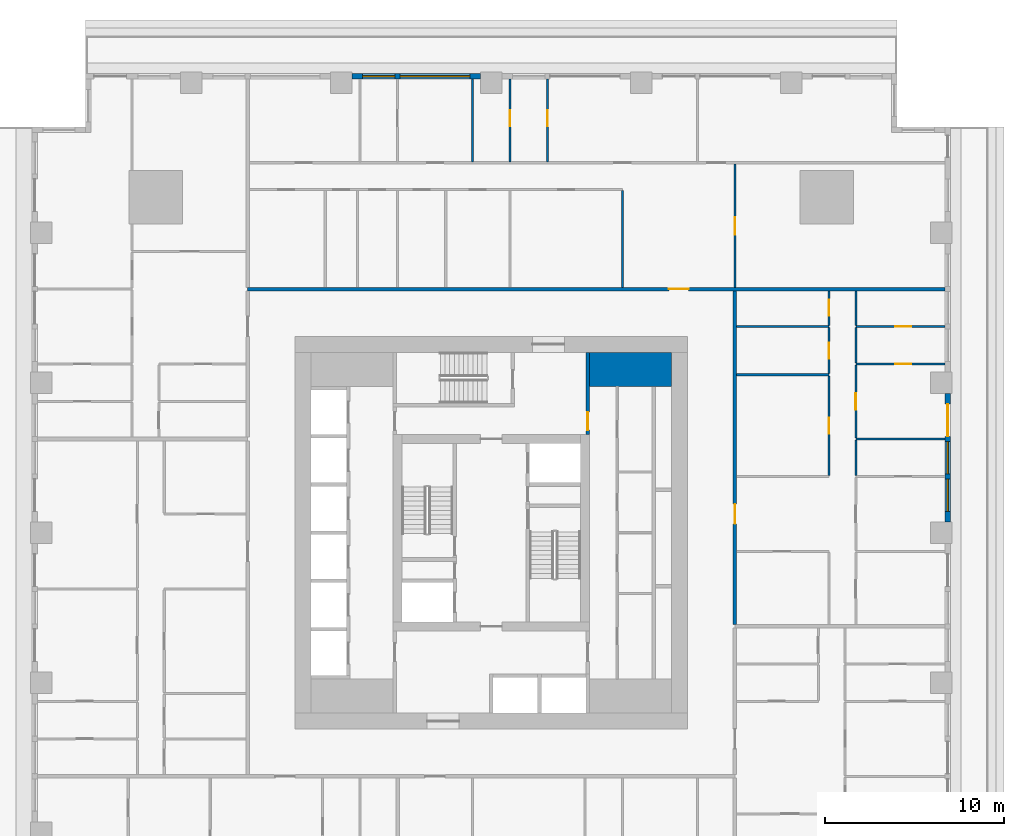
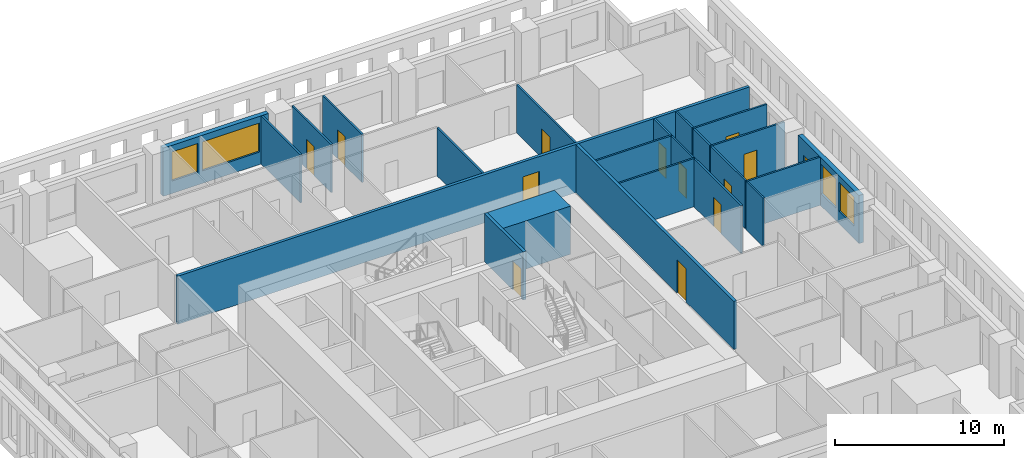
# One storey, part 8 of 14: 23 walls, 13 doors, 4 windows, 17 openings.
"""IFC4 building model written with IfcOpenShell, lengths in metres."""

from ifc_helpers import new_model, si_unit, direction, frame, frame_2d, origin, place, context, subcontext, project, spatial, rectangle, extrude, material, layer, layer_set, type_object, element, fill, save


model = new_model("IFC4")

# Units and contexts
model_context = context("Model", 3, precision=1e-05, world=origin(), true_north=direction((0.0, 1.0)))
body_context = subcontext(model_context, "Body", "Model", "MODEL_VIEW")
ifc_project = project(units=[si_unit("LENGTHUNIT", "METRE"), si_unit("AREAUNIT", "SQUARE_METRE"), si_unit("VOLUMEUNIT", "CUBIC_METRE"), si_unit("PLANEANGLEUNIT", "RADIAN"), si_unit("MASSUNIT", "GRAM", prefix="KILO")], contexts=[model_context])

# Site, building, storey
site_placement = place(None, origin())
site = spatial("IfcSite", under=ifc_project, at=site_placement, CompositionType="ELEMENT")
building_placement = place(site_placement, origin())
building = spatial("IfcBuilding", under=site, at=building_placement, Name="Khepri Terraces", CompositionType="ELEMENT")
storey_placement = place(building_placement, frame((0.0, 0.0, 66.0)))
storey = spatial("IfcBuildingStorey", under=building, at=storey_placement, Name="L15", CompositionType="ELEMENT", Elevation=66.0)

# Wall
ifc_material_1 = material(Name="Concrete C80/95", Category="concrete")
ifc_layer_1 = layer(ifc_material_1, 1.89990234375, Name="Concrete C80/95", Category="concrete")
ifc_layer_set_1 = layer_set([ifc_layer_1], Name="Concrete C80/95")
wall_type_1 = type_object("IfcWallType", Name="Core wall 1900 C80/95", PredefinedType="SHEAR", material=ifc_layer_set_1)
wall_1_placement = place(storey_placement, frame((5.5, 9.14990234375, 0.0), z_axis=(0.0, 0.0, 1.0), x_axis=(1.0, 0.0, 0.0)))
element("IfcWall", 1, at=wall_1_placement, inside=storey, type_object=wall_type_1, Name="Core wall PR04 L15", PredefinedType="SHEAR", context=body_context, shape_type="SweptSolid", body=[
    extrude(rectangle(XDim=4.60009765625, YDim=1.89990234375, at=frame_2d((2.300048828125, 0.0))), origin(), (0.0, 0.0, 1.0), 3.47998046875),
])

# Wall, opening, door
ifc_material_2 = material(Name="Fire-rated gypsum board partition")
ifc_layer_2 = layer(ifc_material_2, 0.199951171875, Name="Fire-rated gypsum board partition")
ifc_layer_set_2 = layer_set([ifc_layer_2], Name="Fire-rated gypsum board partition")
wall_type_2 = type_object("IfcWallType", Name="WL-CORE-PART-200", PredefinedType="PARTITIONING", material=ifc_layer_set_2)
wall_2_placement = place(storey_placement, frame((5.39990234375, 5.5, 0.0), z_axis=(0.0, 0.0, 1.0), x_axis=(0.0, 1.0, 0.0)))
wall_2 = element("IfcWall", 2, at=wall_2_placement, inside=storey, type_object=wall_type_2, Name="Core partition PT08 L15", PredefinedType="PARTITIONING", context=body_context, shape_type="SweptSolid", body=[
    extrude(rectangle(XDim=4.60009765625, YDim=0.199951171875, at=frame_2d((2.300048828125, 0.0))), origin(), (0.0, 0.0, 1.0), 3.47998046875),
])
opening_1_placement = place(wall_2_placement, frame((0.25, 0.0, 0.0)))
opening_1 = element("IfcOpeningElement", 3, at=opening_1_placement, cuts=wall_2, Name="Opening L15-C17", PredefinedType="OPENING", context=body_context, shape_type="SweptSolid", body=[
    extrude(rectangle(XDim=1.0, YDim=2.10009765625, at=frame_2d((0.5, 1.050048828125))), frame((0.0, 0.10986328125, 0.0), z_axis=(0.0, -1.0, 0.0), x_axis=(1.0, 0.0, 0.0)), (0.0, 0.0, 1.0), 0.219970703125),
])
ifc_material_3 = material(Name="Painted steel", Category="steel")
door_type_1 = type_object("IfcDoorType", Name="DR-CORE-LOBBY-1000", OperationType="NOTDEFINED", PredefinedType="DOOR", material=ifc_material_3)
door_1_placement = place(opening_1_placement, origin())
door_1 = element("IfcDoor", 4, at=door_1_placement, inside=storey, type_object=door_type_1, Name="Lobby door L15-C17", OperationType="SINGLE_SWING_LEFT", OverallHeight=2.10009765625, OverallWidth=1.0, PredefinedType="DOOR", context=body_context, shape_type="SweptSolid", body=[
    extrude(rectangle(XDim=1.0, YDim=2.10009765625, at=frame_2d((0.5, 1.050048828125))), frame((0.0, 0.02490234375, 0.0), z_axis=(0.0, -1.0, 0.0), x_axis=(1.0, 0.0, 0.0)), (0.0, 0.0, 1.0), 0.050048828125),
])
fill(opening_1, door_1)

ifc_material_4 = material(Name="Fire-rated gypsum plasterboard partition, mineral wool")
ifc_layer_3 = layer(ifc_material_4, 0.199951171875, Name="Fire-rated gypsum plasterboard partition, mineral wool")
ifc_layer_set_3 = layer_set([ifc_layer_3], Name="Fire-rated gypsum plasterboard partition, mineral wool")
wall_type_3 = type_object("IfcWallType", Name="WL-CORR-200", PredefinedType="PARTITIONING", material=ifc_layer_set_3)
wall_3_placement = place(storey_placement, frame((13.64990234375, -5.14990234375, 0.0), z_axis=(0.0, 0.0, 1.0), x_axis=(0.0, 1.0, 0.0)))
wall_3 = element("IfcWall", 5, at=wall_3_placement, inside=storey, type_object=wall_type_3, Name="Partition P-042 L15", PredefinedType="PARTITIONING", context=body_context, shape_type="SweptSolid", body=[
    extrude(rectangle(XDim=18.699951171875, YDim=0.199951171875, at=frame_2d((9.35009765625, 0.0))), origin(), (0.0, 0.0, 1.0), 3.47998046875),
])
opening_2_placement = place(wall_3_placement, frame((5.64990234375, 0.0, 0.0)))
opening_2 = element("IfcOpeningElement", 6, at=opening_2_placement, cuts=wall_3, Name="Opening D1", PredefinedType="OPENING", context=body_context, shape_type="SweptSolid", body=[
    extrude(rectangle(XDim=1.10009765625, YDim=2.39990234375, at=frame_2d((0.550048828125, 1.199951171875))), frame((0.0, 0.10986328125, 0.0), z_axis=(0.0, -1.0, 0.0), x_axis=(1.0, 0.0, 0.0)), (0.0, 0.0, 1.0), 0.219970703125),
])
ifc_material_5 = material(Name="Solid-core timber door leaf, flat entrance door", Category="wood")
door_type_2 = type_object("IfcDoorType", Name="DR-ENT-1100", OperationType="NOTDEFINED", PredefinedType="DOOR", material=ifc_material_5)
door_2_placement = place(opening_2_placement, frame((1.10009765625, 0.0, 0.0), z_axis=(0.0, 0.0, 1.0), x_axis=(-1.0, 0.0, 0.0)))
door_2 = element("IfcDoor", 7, at=door_2_placement, inside=storey, type_object=door_type_2, Name="Flat B2 entrance door", OperationType="SINGLE_SWING_RIGHT", OverallHeight=2.39990234375, OverallWidth=1.10009765625, PredefinedType="DOOR", context=body_context, shape_type="SweptSolid", body=[
    extrude(rectangle(XDim=1.10009765625, YDim=2.39990234375, at=frame_2d((0.550048828125, 1.199951171875))), frame((0.0, 0.02490234375, 0.0), z_axis=(0.0, -1.0, 0.0), x_axis=(1.0, 0.0, 0.0)), (0.0, 0.0, 1.0), 0.050048828125),
])
fill(opening_2, door_2)

wall_4_placement = place(storey_placement, frame((-13.64990234375, 13.64990234375, 0.0), z_axis=(0.0, 0.0, 1.0), x_axis=(1.0, 0.0, 0.0)))
wall_4 = element("IfcWall", 8, at=wall_4_placement, inside=storey, type_object=wall_type_3, Name="Partition P-079 L15", PredefinedType="PARTITIONING", context=body_context, shape_type="SweptSolid", body=[
    extrude(rectangle(XDim=39.06982421875, YDim=0.199951171875, at=frame_2d((19.534912109375, 0.0))), origin(), (0.0, 0.0, 1.0), 3.47998046875),
])
opening_3_placement = place(wall_4_placement, frame((23.60009765625, 0.0, 0.0)))
opening_3 = element("IfcOpeningElement", 9, at=opening_3_placement, cuts=wall_4, Name="Opening D1", PredefinedType="OPENING", context=body_context, shape_type="SweptSolid", body=[
    extrude(rectangle(XDim=1.10009765625, YDim=2.39990234375, at=frame_2d((0.550048828125, 1.199951171875))), frame((0.0, 0.10986328125, 0.0), z_axis=(0.0, -1.0, 0.0), x_axis=(1.0, 0.0, 0.0)), (0.0, 0.0, 1.0), 0.219970703125),
])
door_3_placement = place(opening_3_placement, origin())
door_3 = element("IfcDoor", 10, at=door_3_placement, inside=storey, type_object=door_type_2, Name="Flat C1 entrance door", OperationType="SINGLE_SWING_RIGHT", OverallHeight=2.39990234375, OverallWidth=1.10009765625, PredefinedType="DOOR", context=body_context, shape_type="SweptSolid", body=[
    extrude(rectangle(XDim=1.10009765625, YDim=2.39990234375, at=frame_2d((0.550048828125, 1.199951171875))), frame((0.0, 0.02490234375, 0.0), z_axis=(0.0, -1.0, 0.0), x_axis=(1.0, 0.0, 0.0)), (0.0, 0.0, 1.0), 0.050048828125),
])
fill(opening_3, door_3)

# Wall, openings, door, windows
ifc_material_6 = material(Name="Precast concrete C50/60 warm stone", Category="masonry")
ifc_layer_4 = layer(ifc_material_6, 0.300048828125, Name="Precast concrete C50/60 warm stone", Category="masonry")
ifc_layer_set_4 = layer_set([ifc_layer_4], Name="Precast concrete C50/60 warm stone")
wall_type_4 = type_object("IfcWallType", Name="WL-EXT-PRECAST-300", PredefinedType="STANDARD", material=ifc_layer_set_4)
wall_5_placement = place(storey_placement, frame((25.570068359375, 0.60009765625, 0.0), z_axis=(0.0, 0.0, 1.0), x_axis=(0.0, 1.0, 0.0)))
wall_5 = element("IfcWall", 11, at=wall_5_placement, inside=storey, type_object=wall_type_4, Name="External wall L15 E", PredefinedType="STANDARD", context=body_context, shape_type="SweptSolid", body=[
    extrude(rectangle(XDim=7.199951171875, YDim=0.300048828125, at=frame_2d((3.60009765625, 0.0))), origin(), (0.0, 0.0, 1.0), 3.47998046875),
])
opening_4_placement = place(wall_5_placement, frame((0.60009765625, 0.0, 0.89990234375)))
opening_4 = element("IfcOpeningElement", 12, at=opening_4_placement, cuts=wall_5, Name="Opening W1", PredefinedType="OPENING", context=body_context, shape_type="SweptSolid", body=[
    extrude(rectangle(XDim=1.800048828125, YDim=2.10009765625, at=frame_2d((0.89990234375, 1.050048828125))), frame((0.0, 0.16015625, 0.0), z_axis=(0.0, -1.0, 0.0), x_axis=(1.0, 0.0, 0.0)), (0.0, 0.0, 1.0), 0.320068359375),
])
opening_5_placement = place(wall_5_placement, frame((2.699951171875, 0.0, 0.89990234375)))
opening_5 = element("IfcOpeningElement", 13, at=opening_5_placement, cuts=wall_5, Name="Opening W1", PredefinedType="OPENING", context=body_context, shape_type="SweptSolid", body=[
    extrude(rectangle(XDim=1.800048828125, YDim=2.10009765625, at=frame_2d((0.89990234375, 1.050048828125))), frame((0.0, 0.16015625, 0.0), z_axis=(0.0, -1.0, 0.0), x_axis=(1.0, 0.0, 0.0)), (0.0, 0.0, 1.0), 0.320068359375),
])
opening_6_placement = place(wall_5_placement, frame((4.800048828125, 0.0, 0.0)))
opening_6 = element("IfcOpeningElement", 14, at=opening_6_placement, cuts=wall_5, Name="Opening ED-L15-05", PredefinedType="OPENING", context=body_context, shape_type="SweptSolid", body=[
    extrude(rectangle(XDim=1.800048828125, YDim=2.39990234375, at=frame_2d((0.89990234375, 1.199951171875))), frame((0.0, 0.16015625, 0.0), z_axis=(0.0, -1.0, 0.0), x_axis=(1.0, 0.0, 0.0)), (0.0, 0.0, 1.0), 0.320068359375),
])
ifc_material_7 = material(Name="Anodised aluminium bronze glazed door", Category="aluminium")
door_type_3 = type_object("IfcDoorType", Name="DR-BAL-SLIDE-1800x2400", OperationType="NOTDEFINED", PredefinedType="DOOR", material=ifc_material_7)
door_4_placement = place(opening_6_placement, origin())
door_4 = element("IfcDoor", 15, at=door_4_placement, inside=storey, type_object=door_type_3, Name="Balcony door L15 E", OperationType="SLIDING_TO_RIGHT", OverallHeight=2.39990234375, OverallWidth=1.800048828125, PredefinedType="DOOR", context=body_context, shape_type="SweptSolid", body=[
    extrude(rectangle(XDim=1.800048828125, YDim=2.39990234375, at=frame_2d((0.89990234375, 1.199951171875))), frame((0.0, 0.02490234375, 0.0), z_axis=(0.0, -1.0, 0.0), x_axis=(1.0, 0.0, 0.0)), (0.0, 0.0, 1.0), 0.050048828125),
])
fill(opening_6, door_4)
ifc_material_8 = material(Name="Clear glass", Category="glass")
window_type_1 = type_object("IfcWindowType", Name="WIN-RES-1800x2100", PartitioningType="SINGLE_PANEL", PredefinedType="WINDOW", material=ifc_material_8)
window_1_placement = place(opening_4_placement, origin())
window_1 = element("IfcWindow", 16, at=window_1_placement, inside=storey, type_object=window_type_1, Name="Window L15 E", OverallHeight=2.10009765625, OverallWidth=1.800048828125, PartitioningType="SINGLE_PANEL", PredefinedType="WINDOW", context=body_context, shape_type="SweptSolid", body=[
    extrude(rectangle(XDim=1.800048828125, YDim=2.10009765625, at=frame_2d((0.89990234375, 1.050048828125))), frame((0.0, 0.030029296875, 0.0), z_axis=(0.0, -1.0, 0.0), x_axis=(1.0, 0.0, 0.0)), (0.0, 0.0, 1.0), 0.06005859375),
])
fill(opening_4, window_1)
window_2_placement = place(opening_5_placement, origin())
window_2 = element("IfcWindow", 17, at=window_2_placement, inside=storey, type_object=window_type_1, Name="Window L15 E", OverallHeight=2.10009765625, OverallWidth=1.800048828125, PartitioningType="SINGLE_PANEL", PredefinedType="WINDOW", context=body_context, shape_type="SweptSolid", body=[
    extrude(rectangle(XDim=1.800048828125, YDim=2.10009765625, at=frame_2d((0.89990234375, 1.050048828125))), frame((0.0, 0.030029296875, 0.0), z_axis=(0.0, -1.0, 0.0), x_axis=(1.0, 0.0, 0.0)), (0.0, 0.0, 1.0), 0.06005859375),
])
fill(opening_5, window_2)

# Wall, openings, windows
wall_6_placement = place(storey_placement, frame((-0.60009765625, 25.570068359375, 0.0), z_axis=(0.0, 0.0, 1.0), x_axis=(-1.0, 0.0, 0.0)))
wall_6 = element("IfcWall", 18, at=wall_6_placement, inside=storey, type_object=wall_type_4, Name="External wall L15 N", PredefinedType="STANDARD", context=body_context, shape_type="SweptSolid", body=[
    extrude(rectangle(XDim=7.199951171875, YDim=0.300048828125, at=frame_2d((3.60009765625, 0.0))), origin(), (0.0, 0.0, 1.0), 3.47998046875),
])
opening_7_placement = place(wall_6_placement, frame((0.60009765625, 0.0, 0.89990234375)))
opening_7 = element("IfcOpeningElement", 19, at=opening_7_placement, cuts=wall_6, Name="Opening W2", PredefinedType="OPENING", context=body_context, shape_type="SweptSolid", body=[
    extrude(rectangle(XDim=3.89990234375, YDim=2.10009765625, at=frame_2d((1.949951171875, 1.050048828125))), frame((0.0, 0.16015625, 0.0), z_axis=(0.0, -1.0, 0.0), x_axis=(1.0, 0.0, 0.0)), (0.0, 0.0, 1.0), 0.320068359375),
])
opening_8_placement = place(wall_6_placement, frame((4.800048828125, 0.0, 0.89990234375)))
opening_8 = element("IfcOpeningElement", 20, at=opening_8_placement, cuts=wall_6, Name="Opening W1", PredefinedType="OPENING", context=body_context, shape_type="SweptSolid", body=[
    extrude(rectangle(XDim=1.800048828125, YDim=2.10009765625, at=frame_2d((0.89990234375, 1.050048828125))), frame((0.0, 0.16015625, 0.0), z_axis=(0.0, -1.0, 0.0), x_axis=(1.0, 0.0, 0.0)), (0.0, 0.0, 1.0), 0.320068359375),
])
window_3_placement = place(opening_8_placement, origin())
window_3 = element("IfcWindow", 21, at=window_3_placement, inside=storey, type_object=window_type_1, Name="Window L15 N", OverallHeight=2.10009765625, OverallWidth=1.800048828125, PartitioningType="SINGLE_PANEL", PredefinedType="WINDOW", context=body_context, shape_type="SweptSolid", body=[
    extrude(rectangle(XDim=1.800048828125, YDim=2.10009765625, at=frame_2d((0.89990234375, 1.050048828125))), frame((0.0, 0.030029296875, 0.0), z_axis=(0.0, -1.0, 0.0), x_axis=(1.0, 0.0, 0.0)), (0.0, 0.0, 1.0), 0.06005859375),
])
fill(opening_8, window_3)
window_type_2 = type_object("IfcWindowType", Name="WIN-RES-3900x2100", PartitioningType="SINGLE_PANEL", PredefinedType="WINDOW", material=ifc_material_8)
window_4_placement = place(opening_7_placement, origin())
window_4 = element("IfcWindow", 22, at=window_4_placement, inside=storey, type_object=window_type_2, Name="Window L15 N", OverallHeight=2.10009765625, OverallWidth=3.89990234375, PartitioningType="SINGLE_PANEL", PredefinedType="WINDOW", context=body_context, shape_type="SweptSolid", body=[
    extrude(rectangle(XDim=3.89990234375, YDim=2.10009765625, at=frame_2d((1.949951171875, 1.050048828125))), frame((0.0, 0.030029296875, 0.0), z_axis=(0.0, -1.0, 0.0), x_axis=(1.0, 0.0, 0.0)), (0.0, 0.0, 1.0), 0.06005859375),
])
fill(opening_7, window_4)

# Wall, opening, door
ifc_material_9 = material(Name="Gypsum plasterboard partition")
ifc_layer_5 = layer(ifc_material_9, 0.1201171875, Name="Gypsum plasterboard partition")
ifc_layer_set_5 = layer_set([ifc_layer_5], Name="Gypsum plasterboard partition")
wall_type_5 = type_object("IfcWallType", Name="WL-PART-120", PredefinedType="PARTITIONING", material=ifc_layer_set_5)
wall_7_placement = place(storey_placement, frame((18.919921875, 3.2099609375, 0.0), z_axis=(0.0, 0.0, 1.0), x_axis=(0.0, 1.0, 0.0)))
wall_7 = element("IfcWall", 23, at=wall_7_placement, inside=storey, type_object=wall_type_5, Name="Partition P-055 L15", PredefinedType="PARTITIONING", context=body_context, shape_type="SweptSolid", body=[
    extrude(rectangle(XDim=5.580078125, YDim=0.1201171875, at=frame_2d((2.7900390625, 0.0))), origin(), (0.0, 0.0, 1.0), 3.47998046875),
])
opening_9_placement = place(wall_7_placement, frame((2.340087890625, 0.0, 0.0)))
opening_9 = element("IfcOpeningElement", 24, at=opening_9_placement, cuts=wall_7, Name="Opening D3", PredefinedType="OPENING", context=body_context, shape_type="SweptSolid", body=[
    extrude(rectangle(XDim=0.89990234375, YDim=2.10009765625, at=frame_2d((0.449951171875, 1.050048828125))), frame((0.0, 0.070068359375, 0.0), z_axis=(0.0, -1.0, 0.0), x_axis=(1.0, 0.0, 0.0)), (0.0, 0.0, 1.0), 0.14013671875),
])
ifc_material_10 = material(Name="Timber door leaf", Category="wood")
door_type_4 = type_object("IfcDoorType", Name="DR-INT-900", OperationType="NOTDEFINED", PredefinedType="DOOR", material=ifc_material_10)
door_5_placement = place(opening_9_placement, origin())
door_5 = element("IfcDoor", 25, at=door_5_placement, inside=storey, type_object=door_type_4, Name="Door Kitchen", OperationType="SINGLE_SWING_RIGHT", OverallHeight=2.10009765625, OverallWidth=0.89990234375, PredefinedType="DOOR", context=body_context, shape_type="SweptSolid", body=[
    extrude(rectangle(XDim=0.89990234375, YDim=2.10009765625, at=frame_2d((0.449951171875, 1.050048828125))), frame((0.0, 0.02490234375, 0.0), z_axis=(0.0, -1.0, 0.0), x_axis=(1.0, 0.0, 0.0)), (0.0, 0.0, 1.0), 0.050048828125),
])
fill(opening_9, door_5)

# Walls
wall_8_placement = place(storey_placement, frame((20.419921875, 3.2099609375, 0.0), z_axis=(0.0, 0.0, 1.0), x_axis=(0.0, 1.0, 0.0)))
element("IfcWall", 26, at=wall_8_placement, inside=storey, type_object=wall_type_5, Name="Partition P-056 L15", PredefinedType="PARTITIONING", context=body_context, shape_type="SweptSolid", body=[
    extrude(rectangle(XDim=1.97998046875, YDim=0.1201171875, at=frame_2d((0.989990234375, 0.0))), origin(), (0.0, 0.0, 1.0), 3.47998046875),
])
wall_9_placement = place(storey_placement, frame((20.419921875, 5.25, 0.0), z_axis=(0.0, 0.0, 1.0), x_axis=(1.0, 0.0, 0.0)))
element("IfcWall", 27, at=wall_9_placement, inside=storey, type_object=wall_type_5, Name="Partition P-058 L15", PredefinedType="PARTITIONING", context=body_context, shape_type="SweptSolid", body=[
    extrude(rectangle(XDim=5.0, YDim=0.1201171875, at=frame_2d((2.5, 0.0))), origin(), (0.0, 0.0, 1.0), 3.47998046875),
])

# Wall, opening, door
wall_10_placement = place(storey_placement, frame((20.419921875, 5.31005859375, 0.0), z_axis=(0.0, 0.0, 1.0), x_axis=(0.0, 1.0, 0.0)))
wall_10 = element("IfcWall", 28, at=wall_10_placement, inside=storey, type_object=wall_type_5, Name="Partition P-059 L15", PredefinedType="PARTITIONING", context=body_context, shape_type="SweptSolid", body=[
    extrude(rectangle(XDim=4.079833984375, YDim=0.1201171875, at=frame_2d((2.0400390625, 0.0))), origin(), (0.0, 0.0, 1.0), 3.47998046875),
])
opening_10_placement = place(wall_10_placement, frame((1.590087890625, 0.0, 0.0)))
opening_10 = element("IfcOpeningElement", 29, at=opening_10_placement, cuts=wall_10, Name="Opening D3", PredefinedType="OPENING", context=body_context, shape_type="SweptSolid", body=[
    extrude(rectangle(XDim=0.89990234375, YDim=2.10009765625, at=frame_2d((0.449951171875, 1.050048828125))), frame((0.0, 0.070068359375, 0.0), z_axis=(0.0, -1.0, 0.0), x_axis=(1.0, 0.0, 0.0)), (0.0, 0.0, 1.0), 0.14013671875),
])
door_6_placement = place(opening_10_placement, frame((0.89990234375, 0.0, 0.0), z_axis=(0.0, 0.0, 1.0), x_axis=(-1.0, 0.0, 0.0)))
door_6 = element("IfcDoor", 30, at=door_6_placement, inside=storey, type_object=door_type_4, Name="Door Master Bedroom", OperationType="SINGLE_SWING_RIGHT", OverallHeight=2.10009765625, OverallWidth=0.89990234375, PredefinedType="DOOR", context=body_context, shape_type="SweptSolid", body=[
    extrude(rectangle(XDim=0.89990234375, YDim=2.10009765625, at=frame_2d((0.449951171875, 1.050048828125))), frame((0.0, 0.02490234375, 0.0), z_axis=(0.0, -1.0, 0.0), x_axis=(1.0, 0.0, 0.0)), (0.0, 0.0, 1.0), 0.050048828125),
])
fill(opening_10, door_6)

# Wall
wall_11_placement = place(storey_placement, frame((13.75, 8.85009765625, 0.0), z_axis=(0.0, 0.0, 1.0), x_axis=(1.0, 0.0, 0.0)))
element("IfcWall", 31, at=wall_11_placement, inside=storey, type_object=wall_type_5, Name="Partition P-067 L15", PredefinedType="PARTITIONING", context=body_context, shape_type="SweptSolid", body=[
    extrude(rectangle(XDim=5.169921875, YDim=0.1201171875, at=frame_2d((2.5849609375, 0.0))), origin(), (0.0, 0.0, 1.0), 3.47998046875),
])

# Wall, opening, door
wall_12_placement = place(storey_placement, frame((18.919921875, 8.909912109375, 0.0), z_axis=(0.0, 0.0, 1.0), x_axis=(0.0, 1.0, 0.0)))
wall_12 = element("IfcWall", 32, at=wall_12_placement, inside=storey, type_object=wall_type_5, Name="Partition P-068 L15", PredefinedType="PARTITIONING", context=body_context, shape_type="SweptSolid", body=[
    extrude(rectangle(XDim=2.580078125, YDim=0.1201171875, at=frame_2d((1.2900390625, 0.0))), origin(), (0.0, 0.0, 1.0), 3.47998046875),
])
opening_11_placement = place(wall_12_placement, frame((0.840087890625, 0.0, 0.0)))
opening_11 = element("IfcOpeningElement", 33, at=opening_11_placement, cuts=wall_12, Name="Opening D4", PredefinedType="OPENING", context=body_context, shape_type="SweptSolid", body=[
    extrude(rectangle(XDim=0.89990234375, YDim=2.10009765625, at=frame_2d((0.449951171875, 1.050048828125))), frame((0.0, 0.070068359375, 0.0), z_axis=(0.0, -1.0, 0.0), x_axis=(1.0, 0.0, 0.0)), (0.0, 0.0, 1.0), 0.14013671875),
])
ifc_material_11 = material(Name="Timber door leaf, moisture resistant", Category="wood")
door_type_5 = type_object("IfcDoorType", Name="DR-WET-900", OperationType="NOTDEFINED", PredefinedType="DOOR", material=ifc_material_11)
door_7_placement = place(opening_11_placement, origin())
door_7 = element("IfcDoor", 34, at=door_7_placement, inside=storey, type_object=door_type_5, Name="Door Powder Room", OperationType="SINGLE_SWING_LEFT", OverallHeight=2.10009765625, OverallWidth=0.89990234375, PredefinedType="DOOR", context=body_context, shape_type="SweptSolid", body=[
    extrude(rectangle(XDim=0.89990234375, YDim=2.10009765625, at=frame_2d((0.449951171875, 1.050048828125))), frame((0.0, 0.02490234375, 0.0), z_axis=(0.0, -1.0, 0.0), x_axis=(1.0, 0.0, 0.0)), (0.0, 0.0, 1.0), 0.050048828125),
])
fill(opening_11, door_7)

wall_13_placement = place(storey_placement, frame((20.419921875, 9.449951171875, 0.0), z_axis=(0.0, 0.0, 1.0), x_axis=(1.0, 0.0, 0.0)))
wall_13 = element("IfcWall", 35, at=wall_13_placement, inside=storey, type_object=wall_type_5, Name="Partition P-071 L15", PredefinedType="PARTITIONING", context=body_context, shape_type="SweptSolid", body=[
    extrude(rectangle(XDim=5.0, YDim=0.1201171875, at=frame_2d((2.5, 0.0))), origin(), (0.0, 0.0, 1.0), 3.47998046875),
])
opening_12_placement = place(wall_13_placement, frame((2.199951171875, 0.0, 0.0)))
opening_12 = element("IfcOpeningElement", 36, at=opening_12_placement, cuts=wall_13, Name="Opening D3", PredefinedType="OPENING", context=body_context, shape_type="SweptSolid", body=[
    extrude(rectangle(XDim=0.89990234375, YDim=2.10009765625, at=frame_2d((0.449951171875, 1.050048828125))), frame((0.0, 0.070068359375, 0.0), z_axis=(0.0, -1.0, 0.0), x_axis=(1.0, 0.0, 0.0)), (0.0, 0.0, 1.0), 0.14013671875),
])
door_8_placement = place(opening_12_placement, origin())
door_8 = element("IfcDoor", 37, at=door_8_placement, inside=storey, type_object=door_type_4, Name="Door Dressing Room", OperationType="SINGLE_SWING_RIGHT", OverallHeight=2.10009765625, OverallWidth=0.89990234375, PredefinedType="DOOR", context=body_context, shape_type="SweptSolid", body=[
    extrude(rectangle(XDim=0.89990234375, YDim=2.10009765625, at=frame_2d((0.449951171875, 1.050048828125))), frame((0.0, 0.02490234375, 0.0), z_axis=(0.0, -1.0, 0.0), x_axis=(1.0, 0.0, 0.0)), (0.0, 0.0, 1.0), 0.050048828125),
])
fill(opening_12, door_8)

# Walls
wall_14_placement = place(storey_placement, frame((20.419921875, 9.510009765625, 0.0), z_axis=(0.0, 0.0, 1.0), x_axis=(0.0, 1.0, 0.0)))
element("IfcWall", 38, at=wall_14_placement, inside=storey, type_object=wall_type_5, Name="Partition P-073 L15", PredefinedType="PARTITIONING", context=body_context, shape_type="SweptSolid", body=[
    extrude(rectangle(XDim=1.97998046875, YDim=0.1201171875, at=frame_2d((0.989990234375, 0.0))), origin(), (0.0, 0.0, 1.0), 3.47998046875),
])
wall_15_placement = place(storey_placement, frame((13.75, 11.550048828125, 0.0), z_axis=(0.0, 0.0, 1.0), x_axis=(1.0, 0.0, 0.0)))
element("IfcWall", 39, at=wall_15_placement, inside=storey, type_object=wall_type_5, Name="Partition P-074 L15", PredefinedType="PARTITIONING", context=body_context, shape_type="SweptSolid", body=[
    extrude(rectangle(XDim=5.169921875, YDim=0.1201171875, at=frame_2d((2.5849609375, 0.0))), origin(), (0.0, 0.0, 1.0), 3.47998046875),
])

# Wall, opening, door
wall_16_placement = place(storey_placement, frame((20.419921875, 11.550048828125, 0.0), z_axis=(0.0, 0.0, 1.0), x_axis=(1.0, 0.0, 0.0)))
wall_16 = element("IfcWall", 40, at=wall_16_placement, inside=storey, type_object=wall_type_5, Name="Partition P-075 L15", PredefinedType="PARTITIONING", context=body_context, shape_type="SweptSolid", body=[
    extrude(rectangle(XDim=5.0, YDim=0.1201171875, at=frame_2d((2.5, 0.0))), origin(), (0.0, 0.0, 1.0), 3.47998046875),
])
opening_13_placement = place(wall_16_placement, frame((2.199951171875, 0.0, 0.0)))
opening_13 = element("IfcOpeningElement", 41, at=opening_13_placement, cuts=wall_16, Name="Opening D4", PredefinedType="OPENING", context=body_context, shape_type="SweptSolid", body=[
    extrude(rectangle(XDim=0.89990234375, YDim=2.10009765625, at=frame_2d((0.449951171875, 1.050048828125))), frame((0.0, 0.070068359375, 0.0), z_axis=(0.0, -1.0, 0.0), x_axis=(1.0, 0.0, 0.0)), (0.0, 0.0, 1.0), 0.14013671875),
])
door_9_placement = place(opening_13_placement, origin())
door_9 = element("IfcDoor", 42, at=door_9_placement, inside=storey, type_object=door_type_5, Name="Door Bathroom", OperationType="SINGLE_SWING_RIGHT", OverallHeight=2.10009765625, OverallWidth=0.89990234375, PredefinedType="DOOR", context=body_context, shape_type="SweptSolid", body=[
    extrude(rectangle(XDim=0.89990234375, YDim=2.10009765625, at=frame_2d((0.449951171875, 1.050048828125))), frame((0.0, 0.02490234375, 0.0), z_axis=(0.0, -1.0, 0.0), x_axis=(1.0, 0.0, 0.0)), (0.0, 0.0, 1.0), 0.050048828125),
])
fill(opening_13, door_9)

wall_17_placement = place(storey_placement, frame((18.919921875, 11.610107421875, 0.0), z_axis=(0.0, 0.0, 1.0), x_axis=(0.0, 1.0, 0.0)))
wall_17 = element("IfcWall", 43, at=wall_17_placement, inside=storey, type_object=wall_type_5, Name="Partition P-076 L15", PredefinedType="PARTITIONING", context=body_context, shape_type="SweptSolid", body=[
    extrude(rectangle(XDim=1.93994140625, YDim=0.1201171875, at=frame_2d((0.969970703125, 0.0))), origin(), (0.0, 0.0, 1.0), 3.47998046875),
])
opening_14_placement = place(wall_17_placement, frame((0.5400390625, 0.0, 0.0)))
opening_14 = element("IfcOpeningElement", 44, at=opening_14_placement, cuts=wall_17, Name="Opening D4", PredefinedType="OPENING", context=body_context, shape_type="SweptSolid", body=[
    extrude(rectangle(XDim=0.89990234375, YDim=2.10009765625, at=frame_2d((0.449951171875, 1.050048828125))), frame((0.0, 0.070068359375, 0.0), z_axis=(0.0, -1.0, 0.0), x_axis=(1.0, 0.0, 0.0)), (0.0, 0.0, 1.0), 0.14013671875),
])
door_10_placement = place(opening_14_placement, origin())
door_10 = element("IfcDoor", 45, at=door_10_placement, inside=storey, type_object=door_type_5, Name="Door Guest Bathroom", OperationType="SINGLE_SWING_RIGHT", OverallHeight=2.10009765625, OverallWidth=0.89990234375, PredefinedType="DOOR", context=body_context, shape_type="SweptSolid", body=[
    extrude(rectangle(XDim=0.89990234375, YDim=2.10009765625, at=frame_2d((0.449951171875, 1.050048828125))), frame((0.0, 0.02490234375, 0.0), z_axis=(0.0, -1.0, 0.0), x_axis=(1.0, 0.0, 0.0)), (0.0, 0.0, 1.0), 0.050048828125),
])
fill(opening_14, door_10)

# Walls
wall_18_placement = place(storey_placement, frame((20.419921875, 11.610107421875, 0.0), z_axis=(0.0, 0.0, 1.0), x_axis=(0.0, 1.0, 0.0)))
element("IfcWall", 46, at=wall_18_placement, inside=storey, type_object=wall_type_5, Name="Partition P-077 L15", PredefinedType="PARTITIONING", context=body_context, shape_type="SweptSolid", body=[
    extrude(rectangle(XDim=1.93994140625, YDim=0.1201171875, at=frame_2d((0.969970703125, 0.0))), origin(), (0.0, 0.0, 1.0), 3.47998046875),
])
wall_19_placement = place(storey_placement, frame((7.35009765625, 13.75, 0.0), z_axis=(0.0, 0.0, 1.0), x_axis=(0.0, 1.0, 0.0)))
element("IfcWall", 47, at=wall_19_placement, inside=storey, type_object=wall_type_5, Name="Partition P-087 L15", PredefinedType="PARTITIONING", context=body_context, shape_type="SweptSolid", body=[
    extrude(rectangle(XDim=5.409912109375, YDim=0.1201171875, at=frame_2d((2.705078125, 0.0))), origin(), (0.0, 0.0, 1.0), 3.47998046875),
])

# Wall, opening, door
wall_20_placement = place(storey_placement, frame((13.64990234375, 13.75, 0.0), z_axis=(0.0, 0.0, 1.0), x_axis=(0.0, 1.0, 0.0)))
wall_20 = element("IfcWall", 48, at=wall_20_placement, inside=storey, type_object=wall_type_5, Name="Partition P-088 L15", PredefinedType="PARTITIONING", context=body_context, shape_type="SweptSolid", body=[
    extrude(rectangle(XDim=6.909912109375, YDim=0.1201171875, at=frame_2d((3.455078125, 0.0))), origin(), (0.0, 0.0, 1.0), 3.47998046875),
])
opening_15_placement = place(wall_20_placement, frame((2.93505859375, 0.0, 0.0)))
opening_15 = element("IfcOpeningElement", 49, at=opening_15_placement, cuts=wall_20, Name="Opening D2", PredefinedType="OPENING", context=body_context, shape_type="SweptSolid", body=[
    extrude(rectangle(XDim=1.0, YDim=2.10009765625, at=frame_2d((0.5, 1.050048828125))), frame((0.0, 0.070068359375, 0.0), z_axis=(0.0, -1.0, 0.0), x_axis=(1.0, 0.0, 0.0)), (0.0, 0.0, 1.0), 0.14013671875),
])
ifc_material_12 = material(Name="Timber door leaf, living room door", Category="wood")
door_type_6 = type_object("IfcDoorType", Name="DR-INT-1000", OperationType="NOTDEFINED", PredefinedType="DOOR", material=ifc_material_12)
door_11_placement = place(opening_15_placement, frame((1.0, 0.0, 0.0), z_axis=(0.0, 0.0, 1.0), x_axis=(-1.0, 0.0, 0.0)))
door_11 = element("IfcDoor", 50, at=door_11_placement, inside=storey, type_object=door_type_6, Name="Door Family Room", OperationType="SINGLE_SWING_RIGHT", OverallHeight=2.10009765625, OverallWidth=1.0, PredefinedType="DOOR", context=body_context, shape_type="SweptSolid", body=[
    extrude(rectangle(XDim=1.0, YDim=2.10009765625, at=frame_2d((0.5, 1.050048828125))), frame((0.0, 0.02490234375, 0.0), z_axis=(0.0, -1.0, 0.0), x_axis=(1.0, 0.0, 0.0)), (0.0, 0.0, 1.0), 0.050048828125),
])
fill(opening_15, door_11)

# Wall
wall_21_placement = place(storey_placement, frame((-1.050048828125, 20.780029296875, 0.0), z_axis=(0.0, 0.0, 1.0), x_axis=(0.0, 1.0, 0.0)))
element("IfcWall", 51, at=wall_21_placement, inside=storey, type_object=wall_type_5, Name="Partition P-096 L15", PredefinedType="PARTITIONING", context=body_context, shape_type="SweptSolid", body=[
    extrude(rectangle(XDim=4.639892578125, YDim=0.1201171875, at=frame_2d((2.31982421875, 0.0))), origin(), (0.0, 0.0, 1.0), 3.47998046875),
])

# Wall, opening, door
wall_22_placement = place(storey_placement, frame((1.050048828125, 20.780029296875, 0.0), z_axis=(0.0, 0.0, 1.0), x_axis=(0.0, 1.0, 0.0)))
wall_22 = element("IfcWall", 52, at=wall_22_placement, inside=storey, type_object=wall_type_5, Name="Partition P-097 L15", PredefinedType="PARTITIONING", context=body_context, shape_type="SweptSolid", body=[
    extrude(rectangle(XDim=4.639892578125, YDim=0.1201171875, at=frame_2d((2.31982421875, 0.0))), origin(), (0.0, 0.0, 1.0), 3.47998046875),
])
opening_16_placement = place(wall_22_placement, frame((1.989990234375, 0.0, 0.0)))
opening_16 = element("IfcOpeningElement", 53, at=opening_16_placement, cuts=wall_22, Name="Opening D4", PredefinedType="OPENING", context=body_context, shape_type="SweptSolid", body=[
    extrude(rectangle(XDim=0.89990234375, YDim=2.10009765625, at=frame_2d((0.449951171875, 1.050048828125))), frame((0.0, 0.070068359375, 0.0), z_axis=(0.0, -1.0, 0.0), x_axis=(1.0, 0.0, 0.0)), (0.0, 0.0, 1.0), 0.14013671875),
])
door_12_placement = place(opening_16_placement, origin())
door_12 = element("IfcDoor", 54, at=door_12_placement, inside=storey, type_object=door_type_5, Name="Door Bathroom", OperationType="SINGLE_SWING_RIGHT", OverallHeight=2.10009765625, OverallWidth=0.89990234375, PredefinedType="DOOR", context=body_context, shape_type="SweptSolid", body=[
    extrude(rectangle(XDim=0.89990234375, YDim=2.10009765625, at=frame_2d((0.449951171875, 1.050048828125))), frame((0.0, 0.02490234375, 0.0), z_axis=(0.0, -1.0, 0.0), x_axis=(1.0, 0.0, 0.0)), (0.0, 0.0, 1.0), 0.050048828125),
])
fill(opening_16, door_12)

wall_23_placement = place(storey_placement, frame((3.14990234375, 20.780029296875, 0.0), z_axis=(0.0, 0.0, 1.0), x_axis=(0.0, 1.0, 0.0)))
wall_23 = element("IfcWall", 55, at=wall_23_placement, inside=storey, type_object=wall_type_5, Name="Partition P-098 L15", PredefinedType="PARTITIONING", context=body_context, shape_type="SweptSolid", body=[
    extrude(rectangle(XDim=4.639892578125, YDim=0.1201171875, at=frame_2d((2.31982421875, 0.0))), origin(), (0.0, 0.0, 1.0), 3.47998046875),
])
opening_17_placement = place(wall_23_placement, frame((1.989990234375, 0.0, 0.0)))
opening_17 = element("IfcOpeningElement", 56, at=opening_17_placement, cuts=wall_23, Name="Opening D3", PredefinedType="OPENING", context=body_context, shape_type="SweptSolid", body=[
    extrude(rectangle(XDim=0.89990234375, YDim=2.10009765625, at=frame_2d((0.449951171875, 1.050048828125))), frame((0.0, 0.070068359375, 0.0), z_axis=(0.0, -1.0, 0.0), x_axis=(1.0, 0.0, 0.0)), (0.0, 0.0, 1.0), 0.14013671875),
])
door_13_placement = place(opening_17_placement, origin())
door_13 = element("IfcDoor", 57, at=door_13_placement, inside=storey, type_object=door_type_4, Name="Door Dressing Room", OperationType="SINGLE_SWING_RIGHT", OverallHeight=2.10009765625, OverallWidth=0.89990234375, PredefinedType="DOOR", context=body_context, shape_type="SweptSolid", body=[
    extrude(rectangle(XDim=0.89990234375, YDim=2.10009765625, at=frame_2d((0.449951171875, 1.050048828125))), frame((0.0, 0.02490234375, 0.0), z_axis=(0.0, -1.0, 0.0), x_axis=(1.0, 0.0, 0.0)), (0.0, 0.0, 1.0), 0.050048828125),
])
fill(opening_17, door_13)

save(model, "model.ifc")
